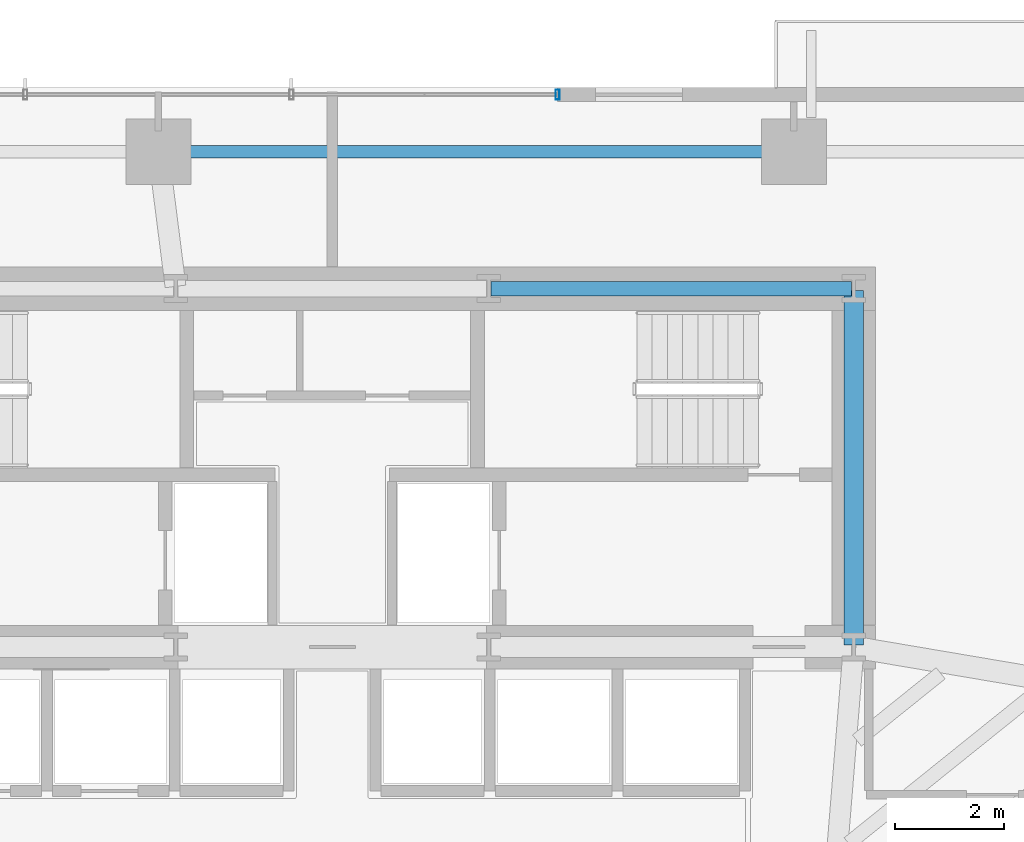
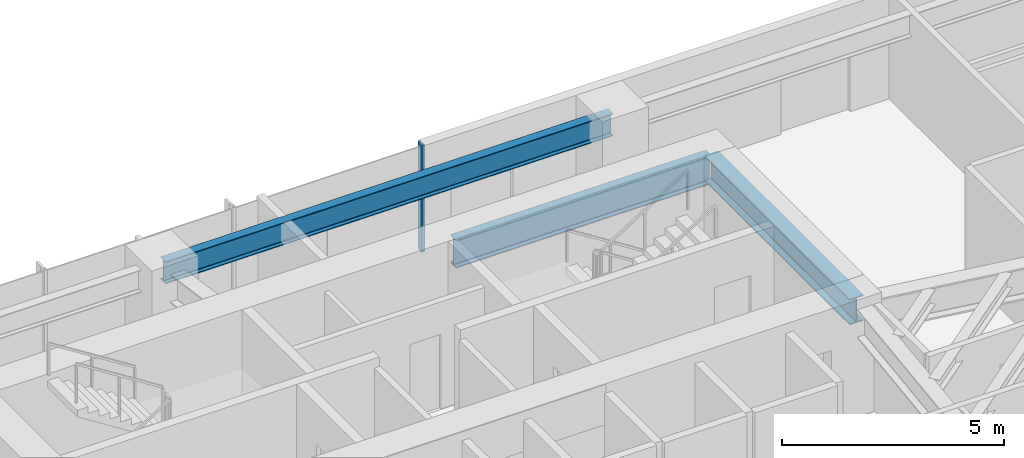
# One storey, part 15 of 25: 3 beams, 1 member, 1 element without a shape of its own.
"""IFC4 building model written with IfcOpenShell, lengths in metres."""

from ifc_helpers import new_model, si_unit, direction, frame, origin, origin_2d, place, context, subcontext, project, spatial, hollow_rectangle, i_section, extrude, source, transform, mapped, material, material_profile, profile_set, type_object, type_shapes, element, aggregate, save


model = new_model("IFC4")

# Units and contexts
model_context = context("Model", 3, precision=1e-05, world=origin(), true_north=direction((0.0, 1.0)))
body_context = subcontext(model_context, "Body", "Model", "MODEL_VIEW")
ifc_project = project(units=[si_unit("LENGTHUNIT", "METRE"), si_unit("AREAUNIT", "SQUARE_METRE"), si_unit("VOLUMEUNIT", "CUBIC_METRE"), si_unit("PLANEANGLEUNIT", "RADIAN"), si_unit("MASSUNIT", "GRAM", prefix="KILO")], contexts=[model_context])

# Site, building, storey
site_placement = place(None, origin())
site = spatial("IfcSite", under=ifc_project, at=site_placement, CompositionType="ELEMENT")
building_placement = place(site_placement, origin())
building = spatial("IfcBuilding", under=site, at=building_placement, Name="Astriad Promenade Condominiums", CompositionType="ELEMENT")
storey_placement = place(building_placement, frame((0.0, 0.0, 45.39990234375)))
storey = spatial("IfcBuildingStorey", under=building, at=storey_placement, Name="L12", CompositionType="ELEMENT", Elevation=45.39990234375)

# Beams
ifc_material_1 = material(Name="Steel ASTM A992 Grade 50", Category="steel")
ifc_material_profile_1 = material_profile(ifc_material_1, i_section(OverallWidth=0.267822265625, OverallDepth=0.76953125, WebThickness=0.015625, FlangeThickness=0.025390625, FilletRadius=0.021484375, at=origin_2d()), Name="W30X132")
ifc_profile_set_1 = profile_set([ifc_material_profile_1], Name="Steel ASTM A992 Grade 50")
beam_type_1 = type_object("IfcBeamType", Name="STEEL FLOOR GIRDER W30X132", PredefinedType="BEAM", material=ifc_profile_set_1)
shared_shape_1 = source(origin(), body_context, "Body", "SweptSolid", [
    extrude(i_section(OverallWidth=0.267822265625, OverallDepth=0.76953125, WebThickness=0.015625, FlangeThickness=0.025390625, FilletRadius=0.021484375, at=origin_2d()), origin(), (0.0, 0.0, 1.0), 6.64013671875),
])
type_shapes(beam_type_1, [shared_shape_1])
beam_1_placement = place(storey_placement, frame((38.919921875, 24.0, 2.55517578125), z_axis=(1.0, 0.0, 0.0), x_axis=(0.0, 1.0, 0.0)))
element("IfcBeam", 1, at=beam_1_placement, inside=storey, type_object=beam_type_1, Name="Core Ring Beam CG-N3-L12", PredefinedType="BEAM", context=body_context, shape_type="MappedRepresentation", body=[
    mapped(shared_shape_1, transform((0.0, 0.0, 0.0), scale=1.0)),
])
ifc_material_profile_2 = material_profile(ifc_material_1, i_section(OverallWidth=0.35791015625, OverallDepth=0.706298828125, WebThickness=0.018310546875, FlangeThickness=0.0302734375, FilletRadius=0.020263671875, at=origin_2d()), Name="W27X178")
ifc_profile_set_2 = profile_set([ifc_material_profile_2], Name="Steel ASTM A992 Grade 50")
beam_type_2 = type_object("IfcBeamType", Name="STEEL FLOOR GIRDER W27X178", PredefinedType="BEAM", material=ifc_profile_set_2)
shared_shape_2 = source(origin(), body_context, "Body", "SweptSolid", [
    extrude(i_section(OverallWidth=0.35791015625, OverallDepth=0.706298828125, WebThickness=0.018310546875, FlangeThickness=0.0302734375, FilletRadius=0.020263671875, at=origin_2d()), origin(), (0.0, 0.0, 1.0), 6.52001953125),
])
type_shapes(beam_type_2, [shared_shape_2])
beam_2_placement = place(storey_placement, frame((45.60009765625, 17.43994140625, 2.5869140625), z_axis=(0.0, 1.0, 0.0), x_axis=(-1.0, 0.0, 0.0)))
element("IfcBeam", 2, at=beam_2_placement, inside=storey, type_object=beam_type_2, Name="Core Ring Beam CG-E1-L12", PredefinedType="BEAM", context=body_context, shape_type="MappedRepresentation", body=[
    mapped(shared_shape_2, transform((0.0, 0.0, 0.0), scale=1.0)),
])
ifc_material_profile_3 = material_profile(ifc_material_1, i_section(OverallWidth=0.22900390625, OverallDepth=0.612060546875, WebThickness=0.011962890625, FlangeThickness=0.01953125, FilletRadius=0.017822265625, at=origin_2d()), Name="W24X84")
ifc_profile_set_3 = profile_set([ifc_material_profile_3], Name="Steel ASTM A992 Grade 50")
beam_type_3 = type_object("IfcBeamType", Name="STEEL SPANDREL BEAM W24X84", PredefinedType="SPANDREL", material=ifc_profile_set_3)
shared_shape_3 = source(origin(), body_context, "Body", "SweptSolid", [
    extrude(i_section(OverallWidth=0.22900390625, OverallDepth=0.612060546875, WebThickness=0.011962890625, FlangeThickness=0.01953125, FilletRadius=0.017822265625, at=origin_2d()), origin(), (0.0, 0.0, 1.0), 11.619873046875),
])
type_shapes(beam_type_3, [shared_shape_3])
beam_3_placement = place(storey_placement, frame((44.4599609375, 26.52001953125, 2.634033203125), z_axis=(-1.0, 0.0, 0.0), x_axis=(0.0, -1.0, 0.0)))
element("IfcBeam", 3, at=beam_3_placement, inside=storey, type_object=beam_type_3, Name="Perimeter Spandrel Beam SP-N3-L12", PredefinedType="SPANDREL", context=body_context, shape_type="MappedRepresentation", body=[
    mapped(shared_shape_3, transform((0.0, 0.0, 0.0), scale=1.0)),
])

# Curtain wall, member
ifc_material_2 = material(Name="Anodised aluminium Black Dark Glass Unitised", Category="aluminium")
curtain_wall_type = type_object("IfcCurtainWallType", Name="CW-B1-DARK", PredefinedType="USERDEFINED", material=ifc_material_2)
curtain_wall_placement = place(storey_placement, origin())
curtain_wall = element("IfcCurtainWall", 4, at=curtain_wall_placement, inside=storey, type_object=curtain_wall_type, Name="CW-L12-N", ObjectType="UNITISED_CURTAIN_WALL", PredefinedType="USERDEFINED")
ifc_material_3 = material(Name="Anodised aluminium 6063-T6 Black", Category="aluminium")
ifc_material_profile_4 = material_profile(ifc_material_3, hollow_rectangle(XDim=0.074951171875, YDim=0.18505859375, WallThickness=0.00439453125, at=origin_2d()), Name="ALU-MUL-75X185")
ifc_profile_set_4 = profile_set([ifc_material_profile_4], Name="Anodised aluminium 6063-T6 Black")
member_type = type_object("IfcMemberType", Name="MUL-ALU-MUL-75X185", PredefinedType="MULLION", material=ifc_profile_set_4)
shared_shape_4 = source(origin(), body_context, "Body", "SweptSolid", [
    extrude(hollow_rectangle(XDim=0.074951171875, YDim=0.18505859375, WallThickness=0.00439453125, at=origin_2d()), origin(), (0.0, 0.0, 1.0), 2.940185546875),
])
type_shapes(member_type, [shared_shape_4])
member_placement = place(storey_placement, frame((40.14990234375, 27.570068359375, 0.0), z_axis=(0.0, 0.0, 1.0), x_axis=(1.0, 0.0, 0.0)))
member = element("IfcMember", 5, at=member_placement, type_object=member_type, Name="CW-L12-N-MUL-03", PredefinedType="MULLION", context=body_context, shape_type="MappedRepresentation", body=[
    mapped(shared_shape_4, transform((0.0, 0.0, 0.0), scale=1.0)),
])
aggregate(curtain_wall, [member])

save(model, "model.ifc")
